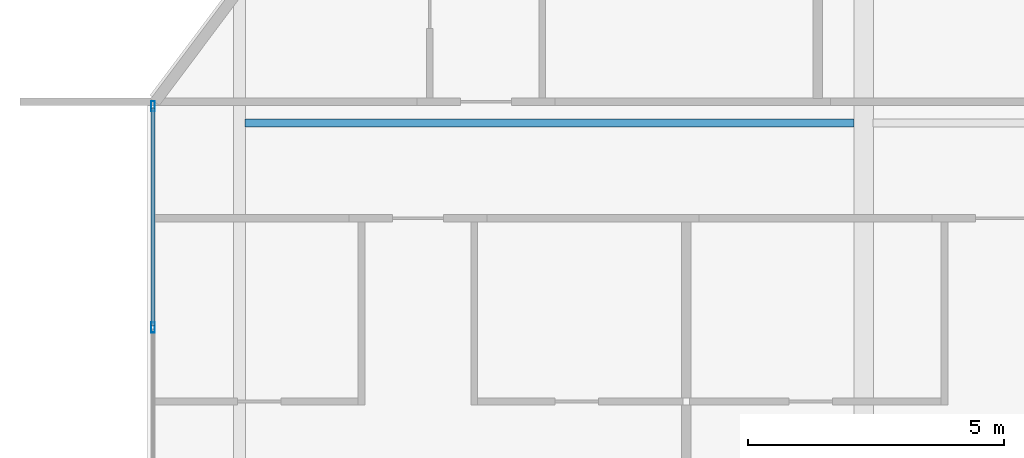
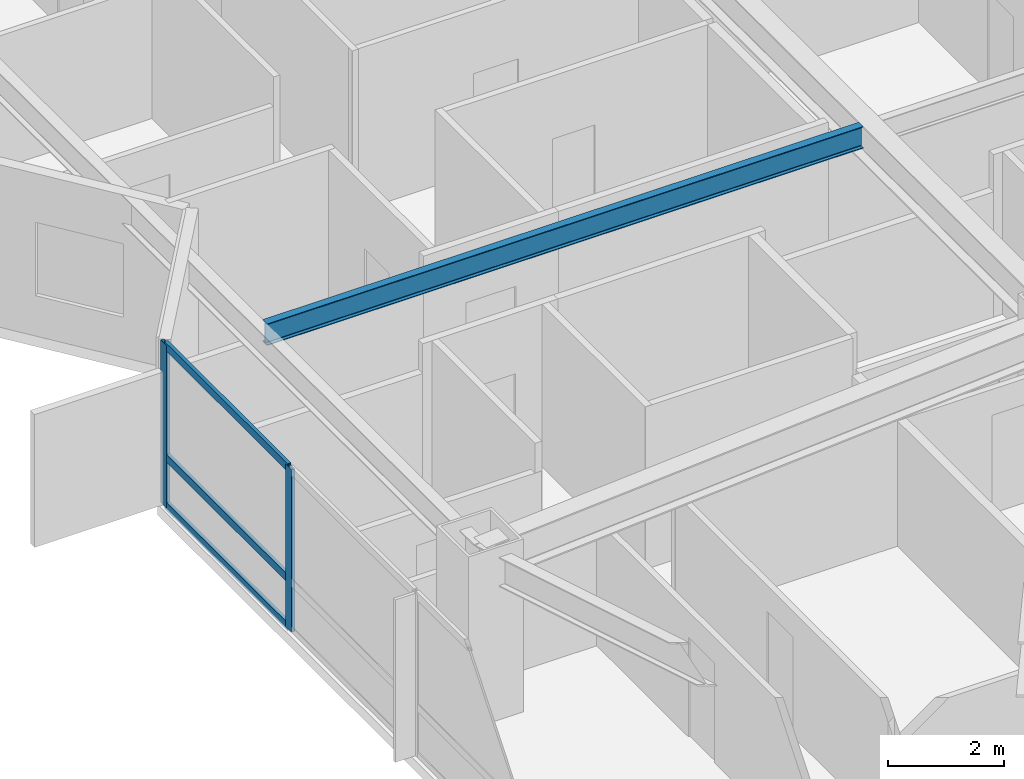
# One storey, part 6 of 19: 5 members, 1 beam, 1 element without a shape of its own.
"""IFC4 building model written with IfcOpenShell, lengths in metres."""

from ifc_helpers import new_model, si_unit, direction, frame, origin, origin_2d, place, context, subcontext, project, spatial, hollow_rectangle, i_section, extrude, material, material_profile, profile_set, type_object, element, aggregate, save


model = new_model("IFC4")

# Units and contexts
model_context = context("Model", 3, precision=1e-05, world=origin(), true_north=direction((0.0, 1.0)))
body_context = subcontext(model_context, "Body", "Model", "MODEL_VIEW")
ifc_project = project(units=[si_unit("LENGTHUNIT", "METRE"), si_unit("AREAUNIT", "SQUARE_METRE"), si_unit("VOLUMEUNIT", "CUBIC_METRE"), si_unit("PLANEANGLEUNIT", "RADIAN"), si_unit("MASSUNIT", "GRAM", prefix="KILO")], contexts=[model_context])

# Site, building, storey
site_placement = place(None, origin())
site = spatial("IfcSite", under=ifc_project, at=site_placement, CompositionType="ELEMENT")
building_placement = place(site_placement, origin())
building = spatial("IfcBuilding", under=site, at=building_placement, Name="Khamvora Tower", CompositionType="ELEMENT")
storey_placement = place(building_placement, frame((0.0, 0.0, 58.85009765625)))
storey = spatial("IfcBuildingStorey", under=building, at=storey_placement, Name="L14", CompositionType="ELEMENT", Elevation=58.85009765625)

# Beam
ifc_material_1 = material(Name="Steel S355", Category="steel")
ifc_material_profile_1 = material_profile(ifc_material_1, i_section(OverallWidth=0.154052734375, OverallDepth=0.458984375, WebThickness=0.009033203125, FlangeThickness=0.014892578125, FilletRadius=0.011962890625, at=origin_2d()), Name="W460x68")
ifc_profile_set_1 = profile_set([ifc_material_profile_1], Name="Steel S355")
beam_type = type_object("IfcBeamType", Name="BM-JS-W460x68", PredefinedType="JOIST", material=ifc_profile_set_1)
beam_placement = place(storey_placement, frame((5.909912109375, 24.39990234375, 3.199951171875), z_axis=(1.0, 0.0, 0.0), x_axis=(0.0, 1.0, 0.0)))
element("IfcBeam", 1, at=beam_placement, inside=storey, type_object=beam_type, Name="L14 secondary floor joist 04", PredefinedType="JOIST", context=body_context, shape_type="SweptSolid", body=[
    extrude(i_section(OverallWidth=0.154052734375, OverallDepth=0.458984375, WebThickness=0.009033203125, FlangeThickness=0.014892578125, FilletRadius=0.011962890625, at=origin_2d()), origin(), (0.0, 0.0, 1.0), 11.904052734375),
])

# Curtain wall, members
ifc_material_2 = material(Name="Anodised Aluminium 6063-T6", Category="aluminium")
curtain_wall_type = type_object("IfcCurtainWallType", Name="CW-SYS-02", PredefinedType="NOTDEFINED", material=ifc_material_2)
curtain_wall_placement = place(storey_placement, origin())
curtain_wall = element("IfcCurtainWall", 2, at=curtain_wall_placement, inside=storey, type_object=curtain_wall_type, Name="L14 stick curtain wall 02.1", PredefinedType="NOTDEFINED")
ifc_material_profile_2 = material_profile(ifc_material_2, hollow_rectangle(XDim=0.070068359375, YDim=0.199951171875, WallThickness=0.0048828125, at=origin_2d()), Name="MUL70x200x5")
ifc_profile_set_2 = profile_set([ifc_material_profile_2], Name="Anodised Aluminium 6063-T6")
member_type_1 = type_object("IfcMemberType", Name="CW-SYS-02-MUL", PredefinedType="MULLION", material=ifc_profile_set_2)
member_1_placement = place(storey_placement, frame((4.110107421875, 20.401611328125, 0.0), z_axis=(0.0, 0.0, 1.0), x_axis=(-1.0, 0.0, 0.0)))
member_1 = element("IfcMember", 3, at=member_1_placement, type_object=member_type_1, Name="CW-02 mullion 4", PredefinedType="MULLION", context=body_context, shape_type="SweptSolid", body=[
    extrude(hollow_rectangle(XDim=0.070068359375, YDim=0.199951171875, WallThickness=0.0048828125, at=origin_2d()), origin(), (0.0, 0.0, 1.0), 3.429931640625),
])
member_2_placement = place(storey_placement, frame((4.110107421875, 24.72802734375, 0.0), z_axis=(0.0, 0.0, 1.0), x_axis=(-1.0, 0.0, 0.0)))
member_2 = element("IfcMember", 4, at=member_2_placement, type_object=member_type_1, Name="CW-02 mullion 5", PredefinedType="MULLION", context=body_context, shape_type="SweptSolid", body=[
    extrude(hollow_rectangle(XDim=0.070068359375, YDim=0.199951171875, WallThickness=0.0048828125, at=origin_2d()), origin(), (0.0, 0.0, 1.0), 3.429931640625),
])
ifc_material_profile_3 = material_profile(ifc_material_2, hollow_rectangle(XDim=0.070068359375, YDim=0.1650390625, WallThickness=0.0048828125, at=origin_2d()), Name="TRN70x165x5")
ifc_profile_set_3 = profile_set([ifc_material_profile_3], Name="Anodised Aluminium 6063-T6")
member_type_2 = type_object("IfcMemberType", Name="CW-SYS-02-TRN", PredefinedType="USERDEFINED", material=ifc_profile_set_3)
member_3_placement = place(storey_placement, frame((4.110107421875, 20.4365234375, 0.034912109375), z_axis=(0.0, 1.0, 0.0), x_axis=(-1.0, 0.0, 0.0)))
member_3 = element("IfcMember", 5, at=member_3_placement, type_object=member_type_2, Name="CW-02 transom 4.1", ObjectType="TRANSOM", PredefinedType="USERDEFINED", context=body_context, shape_type="SweptSolid", body=[
    extrude(hollow_rectangle(XDim=0.070068359375, YDim=0.1650390625, WallThickness=0.0048828125, at=origin_2d()), origin(), (0.0, 0.0, 1.0), 4.256591796875),
])
member_4_placement = place(storey_placement, frame((4.110107421875, 20.4365234375, 1.0498046875), z_axis=(0.0, 1.0, 0.0), x_axis=(-1.0, 0.0, 0.0)))
member_4 = element("IfcMember", 6, at=member_4_placement, type_object=member_type_2, Name="CW-02 transom 4.2", ObjectType="TRANSOM", PredefinedType="USERDEFINED", context=body_context, shape_type="SweptSolid", body=[
    extrude(hollow_rectangle(XDim=0.070068359375, YDim=0.1650390625, WallThickness=0.0048828125, at=origin_2d()), origin(), (0.0, 0.0, 1.0), 4.256591796875),
])
member_5_placement = place(storey_placement, frame((4.110107421875, 20.4365234375, 3.39501953125), z_axis=(0.0, 1.0, 0.0), x_axis=(-1.0, 0.0, 0.0)))
member_5 = element("IfcMember", 7, at=member_5_placement, type_object=member_type_2, Name="CW-02 transom 4.3", ObjectType="TRANSOM", PredefinedType="USERDEFINED", context=body_context, shape_type="SweptSolid", body=[
    extrude(hollow_rectangle(XDim=0.070068359375, YDim=0.1650390625, WallThickness=0.0048828125, at=origin_2d()), origin(), (0.0, 0.0, 1.0), 4.256591796875),
])
aggregate(curtain_wall, [member_1, member_2, member_3, member_4, member_5])

save(model, "model.ifc")
